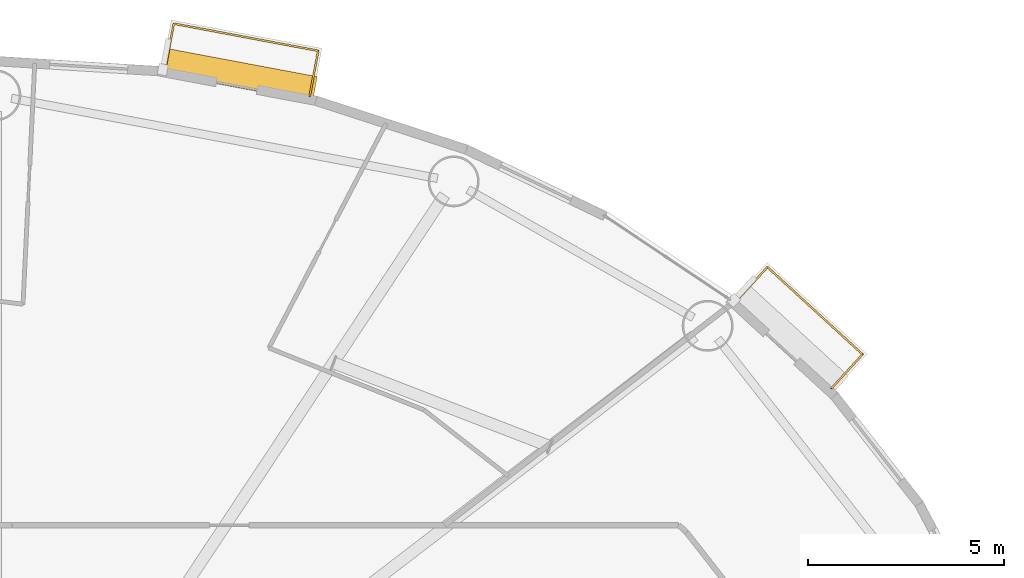
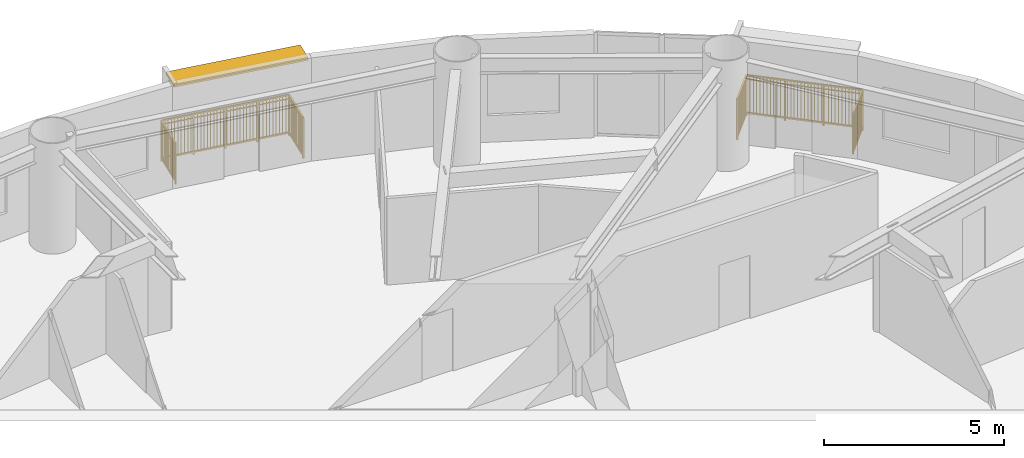
# One storey, part 21 of 21: 2 railings, 1 shading device.
"""IFC4 building model written with IfcOpenShell, lengths in metres."""

from ifc_helpers import new_model, si_unit, direction, frame, origin, origin_2d, place, context, subcontext, project, spatial, rectangle, extrude, source, transform, mapped, material, layer, layer_set, type_object, element, save


model = new_model("IFC4")

# Units and contexts
model_context = context("Model", 3, precision=1e-05, world=origin(), true_north=direction((0.0, 1.0)))
body_context = subcontext(model_context, "Body", "Model", "MODEL_VIEW")
ifc_project = project(units=[si_unit("LENGTHUNIT", "METRE"), si_unit("AREAUNIT", "SQUARE_METRE"), si_unit("VOLUMEUNIT", "CUBIC_METRE"), si_unit("PLANEANGLEUNIT", "RADIAN"), si_unit("MASSUNIT", "GRAM", prefix="KILO")], contexts=[model_context])

# Site, building, storey
site_placement = place(None, origin())
site = spatial("IfcSite", under=ifc_project, at=site_placement, CompositionType="ELEMENT")
building_placement = place(site_placement, origin())
building = spatial("IfcBuilding", under=site, at=building_placement, Name="Linh Dai School and Residence Tower", CompositionType="ELEMENT")
storey_placement = place(building_placement, frame((0.0, 0.0, 189.89990234375)))
storey = spatial("IfcBuildingStorey", under=building, at=storey_placement, Name="L46", CompositionType="ELEMENT", Elevation=189.89990234375)

# Shading device
ifc_material_1 = material(Name="Terracotta Ceramic Sunshade", Category="masonry")
ifc_layer = layer(ifc_material_1, 0.10009765625)
ifc_layer_set = layer_set([ifc_layer], Name="Terracotta Ceramic Sunshade")
shading_device_type = type_object("IfcShadingDeviceType", Name="SHD-TC-650", PredefinedType="USERDEFINED", material=ifc_layer_set)
shared_shape_1 = source(origin(), body_context, "Body", "SweptSolid", [
    extrude(rectangle(XDim=3.949462890625, YDim=0.64990234375, at=origin_2d()), origin(), (0.0, 0.0, 1.0), 0.10009765625),
])
shading_device_placement = place(storey_placement, frame((42.219970703125, 47.349609375, 3.380126953125), z_axis=(0.0, 0.0, 1.0), x_axis=(0.982783192645, -0.184762540184, 0.0)))
element("IfcShadingDevice", 1, at=shading_device_placement, inside=storey, type_object=shading_device_type, Name="L46 Terracotta Horizontal Sunshade Band 09", ObjectType="SUNSHADE", PredefinedType="USERDEFINED", context=body_context, shape_type="MappedRepresentation", body=[
    mapped(shared_shape_1, transform((0.0, 0.0, 0.0), x_axis=(1.0, 0.0, 0.0), y_axis=(0.0, 1.0, 0.0), z_axis=(0.0, 0.0, 1.0), scale=1.0)),
])

# Railings
ifc_material_2 = material(Name="Structural Steel S355JR", Category="steel")
railing_type = type_object("IfcRailingType", Name="RL-BAL-1400", PredefinedType="BALUSTRADE", material=ifc_material_2)
shared_shape_2 = source(origin(), body_context, "Body", "SweptSolid", [
    extrude(rectangle(XDim=0.048095703125, YDim=0.048095703125, at=origin_2d()), frame((0.0, 0.0, 1.3759765625), z_axis=(0.675715259685, 0.737162728187, 0.0), x_axis=(-0.737162728187, 0.675715259685, 0.0)), (0.0, 0.0, 1.0), 1.179931640625),
    extrude(rectangle(XDim=0.048095703125, YDim=0.048095703125, at=origin_2d()), frame((0.0, 0.0, 0.10009765625), z_axis=(0.675715259685, 0.737162728187, 0.0), x_axis=(-0.737162728187, 0.675715259685, 0.0)), (0.0, 0.0, 1.0), 1.179931640625),
    extrude(rectangle(XDim=0.030029296875, YDim=0.030029296875, at=origin_2d()), frame((0.0, 0.0, 1.239990234375), z_axis=(0.675715259685, 0.737162728187, 0.0), x_axis=(-0.737162728187, 0.675715259685, 0.0)), (0.0, 0.0, 1.0), 1.179931640625),
    extrude(rectangle(XDim=0.02001953125, YDim=0.02001953125, at=origin_2d()), frame((0.061279296875, 0.06689453125, 0.10009765625)), (0.0, 0.0, 1.0), 1.251708984375),
    extrude(rectangle(XDim=0.02001953125, YDim=0.02001953125, at=origin_2d()), frame((0.12255859375, 0.1337890625, 0.10009765625)), (0.0, 0.0, 1.0), 1.251708984375),
    extrude(rectangle(XDim=0.02001953125, YDim=0.02001953125, at=origin_2d()), frame((0.18408203125, 0.20068359375, 0.10009765625)), (0.0, 0.0, 1.0), 1.251708984375),
    extrude(rectangle(XDim=0.02001953125, YDim=0.02001953125, at=origin_2d()), frame((0.245361328125, 0.267578125, 0.10009765625)), (0.0, 0.0, 1.0), 1.251708984375),
    extrude(rectangle(XDim=0.02001953125, YDim=0.02001953125, at=origin_2d()), frame((0.306640625, 0.33447265625, 0.10009765625)), (0.0, 0.0, 1.0), 1.251708984375),
    extrude(rectangle(XDim=0.02001953125, YDim=0.02001953125, at=origin_2d()), frame((0.367919921875, 0.4013671875, 0.10009765625)), (0.0, 0.0, 1.0), 1.251708984375),
    extrude(rectangle(XDim=0.02001953125, YDim=0.02001953125, at=origin_2d()), frame((0.429443359375, 0.468505859375, 0.10009765625)), (0.0, 0.0, 1.0), 1.251708984375),
    extrude(rectangle(XDim=0.02001953125, YDim=0.02001953125, at=origin_2d()), frame((0.49072265625, 0.535400390625, 0.10009765625)), (0.0, 0.0, 1.0), 1.251708984375),
    extrude(rectangle(XDim=0.02001953125, YDim=0.02001953125, at=origin_2d()), frame((0.552001953125, 0.602294921875, 0.10009765625)), (0.0, 0.0, 1.0), 1.251708984375),
    extrude(rectangle(XDim=0.02001953125, YDim=0.02001953125, at=origin_2d()), frame((0.61328125, 0.669189453125, 0.10009765625)), (0.0, 0.0, 1.0), 1.251708984375),
    extrude(rectangle(XDim=0.02001953125, YDim=0.02001953125, at=origin_2d()), frame((0.6748046875, 0.736083984375, 0.10009765625)), (0.0, 0.0, 1.0), 1.251708984375),
    extrude(rectangle(XDim=0.02001953125, YDim=0.02001953125, at=origin_2d()), frame((0.736083984375, 0.802978515625, 0.10009765625)), (0.0, 0.0, 1.0), 1.251708984375),
    extrude(rectangle(XDim=0.048095703125, YDim=0.048095703125, at=origin_2d()), frame((0.79736328125, 0.869873046875, 1.3759765625), z_axis=(0.737089607401, -0.675795021187, 0.0), x_axis=(0.675795021187, 0.737089607401, 0.0)), (0.0, 0.0, 1.0), 3.298095703125),
    extrude(rectangle(XDim=0.048095703125, YDim=0.048095703125, at=origin_2d()), frame((0.79736328125, 0.869873046875, 0.10009765625), z_axis=(0.737089607401, -0.675795021187, 0.0), x_axis=(0.675795021187, 0.737089607401, 0.0)), (0.0, 0.0, 1.0), 3.298095703125),
    extrude(rectangle(XDim=0.030029296875, YDim=0.030029296875, at=origin_2d()), frame((0.79736328125, 0.869873046875, 1.239990234375), z_axis=(0.737089607401, -0.675795021187, 0.0), x_axis=(0.675795021187, 0.737089607401, 0.0)), (0.0, 0.0, 1.0), 3.298095703125),
    extrude(rectangle(XDim=0.02001953125, YDim=0.02001953125, at=origin_2d()), frame((0.868896484375, 0.80419921875, 0.10009765625)), (0.0, 0.0, 1.0), 1.251708984375),
    extrude(rectangle(XDim=0.02001953125, YDim=0.02001953125, at=origin_2d()), frame((0.9404296875, 0.73876953125, 0.10009765625)), (0.0, 0.0, 1.0), 1.251708984375),
    extrude(rectangle(XDim=0.02001953125, YDim=0.02001953125, at=origin_2d()), frame((1.011962890625, 0.67333984375, 0.10009765625)), (0.0, 0.0, 1.0), 1.251708984375),
    extrude(rectangle(XDim=0.02001953125, YDim=0.02001953125, at=origin_2d()), frame((1.083251953125, 0.607666015625, 0.10009765625)), (0.0, 0.0, 1.0), 1.251708984375),
    extrude(rectangle(XDim=0.02001953125, YDim=0.02001953125, at=origin_2d()), frame((1.15478515625, 0.5419921875, 0.10009765625)), (0.0, 0.0, 1.0), 1.251708984375),
    extrude(rectangle(XDim=0.02001953125, YDim=0.02001953125, at=origin_2d()), frame((1.226318359375, 0.4765625, 0.10009765625)), (0.0, 0.0, 1.0), 1.251708984375),
    extrude(rectangle(XDim=0.02001953125, YDim=0.02001953125, at=origin_2d()), frame((1.2978515625, 0.4111328125, 0.10009765625)), (0.0, 0.0, 1.0), 1.251708984375),
    extrude(rectangle(XDim=0.02001953125, YDim=0.02001953125, at=origin_2d()), frame((1.369384765625, 0.345458984375, 0.10009765625)), (0.0, 0.0, 1.0), 1.251708984375),
    extrude(rectangle(XDim=0.02001953125, YDim=0.02001953125, at=origin_2d()), frame((1.44091796875, 0.27978515625, 0.10009765625)), (0.0, 0.0, 1.0), 1.251708984375),
    extrude(rectangle(XDim=0.02001953125, YDim=0.02001953125, at=origin_2d()), frame((1.512451171875, 0.21435546875, 0.10009765625)), (0.0, 0.0, 1.0), 1.251708984375),
    extrude(rectangle(XDim=0.02001953125, YDim=0.02001953125, at=origin_2d()), frame((1.6552734375, 0.083251953125, 0.10009765625)), (0.0, 0.0, 1.0), 1.251708984375),
    extrude(rectangle(XDim=0.02001953125, YDim=0.02001953125, at=origin_2d()), frame((1.726806640625, 0.017822265625, 0.10009765625)), (0.0, 0.0, 1.0), 1.251708984375),
    extrude(rectangle(XDim=0.02001953125, YDim=0.02001953125, at=origin_2d()), frame((1.79833984375, -0.0478515625, 0.10009765625)), (0.0, 0.0, 1.0), 1.251708984375),
    extrude(rectangle(XDim=0.02001953125, YDim=0.02001953125, at=origin_2d()), frame((1.869873046875, -0.11328125, 0.10009765625)), (0.0, 0.0, 1.0), 1.251708984375),
    extrude(rectangle(XDim=0.02001953125, YDim=0.02001953125, at=origin_2d()), frame((1.94140625, -0.178955078125, 0.10009765625)), (0.0, 0.0, 1.0), 1.251708984375),
    extrude(rectangle(XDim=0.02001953125, YDim=0.02001953125, at=origin_2d()), frame((2.0126953125, -0.24462890625, 0.10009765625)), (0.0, 0.0, 1.0), 1.251708984375),
    extrude(rectangle(XDim=0.02001953125, YDim=0.02001953125, at=origin_2d()), frame((2.084228515625, -0.31005859375, 0.10009765625)), (0.0, 0.0, 1.0), 1.251708984375),
    extrude(rectangle(XDim=0.02001953125, YDim=0.02001953125, at=origin_2d()), frame((2.15576171875, -0.37548828125, 0.10009765625)), (0.0, 0.0, 1.0), 1.251708984375),
    extrude(rectangle(XDim=0.02001953125, YDim=0.02001953125, at=origin_2d()), frame((2.227294921875, -0.441162109375, 0.10009765625)), (0.0, 0.0, 1.0), 1.251708984375),
    extrude(rectangle(XDim=0.02001953125, YDim=0.02001953125, at=origin_2d()), frame((2.298828125, -0.5068359375, 0.10009765625)), (0.0, 0.0, 1.0), 1.251708984375),
    extrude(rectangle(XDim=0.02001953125, YDim=0.02001953125, at=origin_2d()), frame((2.370361328125, -0.572265625, 0.10009765625)), (0.0, 0.0, 1.0), 1.251708984375),
    extrude(rectangle(XDim=0.02001953125, YDim=0.02001953125, at=origin_2d()), frame((2.51318359375, -0.703369140625, 0.10009765625)), (0.0, 0.0, 1.0), 1.251708984375),
    extrude(rectangle(XDim=0.02001953125, YDim=0.02001953125, at=origin_2d()), frame((2.584716796875, -0.76904296875, 0.10009765625)), (0.0, 0.0, 1.0), 1.251708984375),
    extrude(rectangle(XDim=0.02001953125, YDim=0.02001953125, at=origin_2d()), frame((2.65625, -0.83447265625, 0.10009765625)), (0.0, 0.0, 1.0), 1.251708984375),
    extrude(rectangle(XDim=0.02001953125, YDim=0.02001953125, at=origin_2d()), frame((2.727783203125, -0.89990234375, 0.10009765625)), (0.0, 0.0, 1.0), 1.251708984375),
    extrude(rectangle(XDim=0.02001953125, YDim=0.02001953125, at=origin_2d()), frame((2.79931640625, -0.965576171875, 0.10009765625)), (0.0, 0.0, 1.0), 1.251708984375),
    extrude(rectangle(XDim=0.02001953125, YDim=0.02001953125, at=origin_2d()), frame((2.870849609375, -1.03125, 0.10009765625)), (0.0, 0.0, 1.0), 1.251708984375),
    extrude(rectangle(XDim=0.02001953125, YDim=0.02001953125, at=origin_2d()), frame((2.9423828125, -1.0966796875, 0.10009765625)), (0.0, 0.0, 1.0), 1.251708984375),
    extrude(rectangle(XDim=0.02001953125, YDim=0.02001953125, at=origin_2d()), frame((3.013671875, -1.162109375, 0.10009765625)), (0.0, 0.0, 1.0), 1.251708984375),
    extrude(rectangle(XDim=0.02001953125, YDim=0.02001953125, at=origin_2d()), frame((3.085205078125, -1.227783203125, 0.10009765625)), (0.0, 0.0, 1.0), 1.251708984375),
    extrude(rectangle(XDim=0.02001953125, YDim=0.02001953125, at=origin_2d()), frame((3.15673828125, -1.29345703125, 0.10009765625)), (0.0, 0.0, 1.0), 1.251708984375),
    extrude(rectangle(XDim=0.048095703125, YDim=0.048095703125, at=origin_2d()), frame((3.228271484375, -1.35888671875, 1.3759765625), z_axis=(-0.675715259685, -0.737162728187, 0.0), x_axis=(0.737162728187, -0.675715259685, 0.0)), (0.0, 0.0, 1.0), 1.179931640625),
    extrude(rectangle(XDim=0.048095703125, YDim=0.048095703125, at=origin_2d()), frame((3.228271484375, -1.35888671875, 0.10009765625), z_axis=(-0.675715259685, -0.737162728187, 0.0), x_axis=(0.737162728187, -0.675715259685, 0.0)), (0.0, 0.0, 1.0), 1.179931640625),
    extrude(rectangle(XDim=0.030029296875, YDim=0.030029296875, at=origin_2d()), frame((3.228271484375, -1.35888671875, 1.239990234375), z_axis=(-0.675715259685, -0.737162728187, 0.0), x_axis=(0.737162728187, -0.675715259685, 0.0)), (0.0, 0.0, 1.0), 1.179931640625),
    extrude(rectangle(XDim=0.02001953125, YDim=0.02001953125, at=origin_2d()), frame((3.1669921875, -1.42578125, 0.10009765625)), (0.0, 0.0, 1.0), 1.251708984375),
    extrude(rectangle(XDim=0.02001953125, YDim=0.02001953125, at=origin_2d()), frame((3.105712890625, -1.49267578125, 0.10009765625)), (0.0, 0.0, 1.0), 1.251708984375),
    extrude(rectangle(XDim=0.02001953125, YDim=0.02001953125, at=origin_2d()), frame((3.044189453125, -1.5595703125, 0.10009765625)), (0.0, 0.0, 1.0), 1.251708984375),
    extrude(rectangle(XDim=0.02001953125, YDim=0.02001953125, at=origin_2d()), frame((2.98291015625, -1.62646484375, 0.10009765625)), (0.0, 0.0, 1.0), 1.251708984375),
    extrude(rectangle(XDim=0.02001953125, YDim=0.02001953125, at=origin_2d()), frame((2.921630859375, -1.693359375, 0.10009765625)), (0.0, 0.0, 1.0), 1.251708984375),
    extrude(rectangle(XDim=0.02001953125, YDim=0.02001953125, at=origin_2d()), frame((2.8603515625, -1.76025390625, 0.10009765625)), (0.0, 0.0, 1.0), 1.251708984375),
    extrude(rectangle(XDim=0.02001953125, YDim=0.02001953125, at=origin_2d()), frame((2.798828125, -1.827392578125, 0.10009765625)), (0.0, 0.0, 1.0), 1.251708984375),
    extrude(rectangle(XDim=0.02001953125, YDim=0.02001953125, at=origin_2d()), frame((2.737548828125, -1.894287109375, 0.10009765625)), (0.0, 0.0, 1.0), 1.251708984375),
    extrude(rectangle(XDim=0.02001953125, YDim=0.02001953125, at=origin_2d()), frame((2.67626953125, -1.961181640625, 0.10009765625)), (0.0, 0.0, 1.0), 1.251708984375),
    extrude(rectangle(XDim=0.02001953125, YDim=0.02001953125, at=origin_2d()), frame((2.614990234375, -2.028076171875, 0.10009765625)), (0.0, 0.0, 1.0), 1.251708984375),
    extrude(rectangle(XDim=0.02001953125, YDim=0.02001953125, at=origin_2d()), frame((2.553466796875, -2.094970703125, 0.10009765625)), (0.0, 0.0, 1.0), 1.251708984375),
    extrude(rectangle(XDim=0.02001953125, YDim=0.02001953125, at=origin_2d()), frame((2.4921875, -2.161865234375, 0.10009765625)), (0.0, 0.0, 1.0), 1.251708984375),
    extrude(rectangle(XDim=0.0419921875, YDim=0.0419921875, at=origin_2d()), origin(), (0.0, 0.0, 1.0), 1.3759765625),
    extrude(rectangle(XDim=0.0419921875, YDim=0.0419921875, at=origin_2d()), frame((0.79736328125, 0.869873046875, 0.0)), (0.0, 0.0, 1.0), 1.3759765625),
    extrude(rectangle(XDim=0.0419921875, YDim=0.0419921875, at=origin_2d()), frame((1.607666015625, 0.126953125, 0.0)), (0.0, 0.0, 1.0), 1.3759765625),
    extrude(rectangle(XDim=0.0419921875, YDim=0.0419921875, at=origin_2d()), frame((2.41796875, -0.615966796875, 0.0)), (0.0, 0.0, 1.0), 1.3759765625),
    extrude(rectangle(XDim=0.0419921875, YDim=0.0419921875, at=origin_2d()), frame((3.228271484375, -1.35888671875, 0.0)), (0.0, 0.0, 1.0), 1.3759765625),
    extrude(rectangle(XDim=0.0419921875, YDim=0.0419921875, at=origin_2d()), frame((2.430908203125, -2.228759765625, 0.0)), (0.0, 0.0, 1.0), 1.3759765625),
])
railing_1_placement = place(storey_placement, frame((54.922119140625, 41.571533203125, 0.0)))
element("IfcRailing", 2, at=railing_1_placement, inside=storey, type_object=railing_type, Name="L46 Balcony Safety Balustrade 05", PredefinedType="BALUSTRADE", context=body_context, shape_type="MappedRepresentation", body=[
    mapped(shared_shape_2, transform((0.0, 0.0, 0.0), x_axis=(1.0, 0.0, 0.0), y_axis=(0.0, 1.0, 0.0), z_axis=(0.0, 0.0, 1.0), scale=1.0)),
])
shared_shape_3 = source(origin(), body_context, "Body", "SweptSolid", [
    extrude(rectangle(XDim=0.048095703125, YDim=0.048095703125, at=origin_2d()), frame((0.0, 0.0, 1.3759765625), z_axis=(0.18476321632, 0.982783065531, 0.0), x_axis=(-0.982783065531, 0.18476321632, 0.0)), (0.0, 0.0, 1.0), 1.179931640625),
    extrude(rectangle(XDim=0.048095703125, YDim=0.048095703125, at=origin_2d()), frame((0.0, 0.0, 0.10009765625), z_axis=(0.18476321632, 0.982783065531, 0.0), x_axis=(-0.982783065531, 0.18476321632, 0.0)), (0.0, 0.0, 1.0), 1.179931640625),
    extrude(rectangle(XDim=0.030029296875, YDim=0.030029296875, at=origin_2d()), frame((0.0, 0.0, 1.239990234375), z_axis=(0.18476321632, 0.982783065531, 0.0), x_axis=(-0.982783065531, 0.18476321632, 0.0)), (0.0, 0.0, 1.0), 1.179931640625),
    extrude(rectangle(XDim=0.02001953125, YDim=0.02001953125, at=origin_2d()), frame((0.016845703125, 0.089111328125, 0.10009765625)), (0.0, 0.0, 1.0), 1.251708984375),
    extrude(rectangle(XDim=0.02001953125, YDim=0.02001953125, at=origin_2d()), frame((0.033447265625, 0.178466796875, 0.10009765625)), (0.0, 0.0, 1.0), 1.251708984375),
    extrude(rectangle(XDim=0.02001953125, YDim=0.02001953125, at=origin_2d()), frame((0.05029296875, 0.267578125, 0.10009765625)), (0.0, 0.0, 1.0), 1.251708984375),
    extrude(rectangle(XDim=0.02001953125, YDim=0.02001953125, at=origin_2d()), frame((0.067138671875, 0.35693359375, 0.10009765625)), (0.0, 0.0, 1.0), 1.251708984375),
    extrude(rectangle(XDim=0.02001953125, YDim=0.02001953125, at=origin_2d()), frame((0.083740234375, 0.446044921875, 0.10009765625)), (0.0, 0.0, 1.0), 1.251708984375),
    extrude(rectangle(XDim=0.02001953125, YDim=0.02001953125, at=origin_2d()), frame((0.1005859375, 0.53515625, 0.10009765625)), (0.0, 0.0, 1.0), 1.251708984375),
    extrude(rectangle(XDim=0.02001953125, YDim=0.02001953125, at=origin_2d()), frame((0.117431640625, 0.62451171875, 0.10009765625)), (0.0, 0.0, 1.0), 1.251708984375),
    extrude(rectangle(XDim=0.02001953125, YDim=0.02001953125, at=origin_2d()), frame((0.13427734375, 0.713623046875, 0.10009765625)), (0.0, 0.0, 1.0), 1.251708984375),
    extrude(rectangle(XDim=0.02001953125, YDim=0.02001953125, at=origin_2d()), frame((0.15087890625, 0.802734375, 0.10009765625)), (0.0, 0.0, 1.0), 1.251708984375),
    extrude(rectangle(XDim=0.02001953125, YDim=0.02001953125, at=origin_2d()), frame((0.167724609375, 0.89208984375, 0.10009765625)), (0.0, 0.0, 1.0), 1.251708984375),
    extrude(rectangle(XDim=0.02001953125, YDim=0.02001953125, at=origin_2d()), frame((0.1845703125, 0.981201171875, 0.10009765625)), (0.0, 0.0, 1.0), 1.251708984375),
    extrude(rectangle(XDim=0.02001953125, YDim=0.02001953125, at=origin_2d()), frame((0.201171875, 1.070556640625, 0.10009765625)), (0.0, 0.0, 1.0), 1.251708984375),
    extrude(rectangle(XDim=0.048095703125, YDim=0.048095703125, at=origin_2d()), frame((0.218017578125, 1.15966796875, 1.3759765625), z_axis=(0.982783726823, -0.184759698776, 0.0), x_axis=(0.184759698776, 0.982783726823, 0.0)), (0.0, 0.0, 1.0), 3.754150390625),
    extrude(rectangle(XDim=0.048095703125, YDim=0.048095703125, at=origin_2d()), frame((0.218017578125, 1.15966796875, 0.10009765625), z_axis=(0.982783726823, -0.184759698776, 0.0), x_axis=(0.184759698776, 0.982783726823, 0.0)), (0.0, 0.0, 1.0), 3.754150390625),
    extrude(rectangle(XDim=0.030029296875, YDim=0.030029296875, at=origin_2d()), frame((0.218017578125, 1.15966796875, 1.239990234375), z_axis=(0.982783726823, -0.184759698776, 0.0), x_axis=(0.184759698776, 0.982783726823, 0.0)), (0.0, 0.0, 1.0), 3.754150390625),
    extrude(rectangle(XDim=0.02001953125, YDim=0.02001953125, at=origin_2d()), frame((0.3125, 1.141845703125, 0.10009765625)), (0.0, 0.0, 1.0), 1.251708984375),
    extrude(rectangle(XDim=0.02001953125, YDim=0.02001953125, at=origin_2d()), frame((0.4072265625, 1.1240234375, 0.10009765625)), (0.0, 0.0, 1.0), 1.251708984375),
    extrude(rectangle(XDim=0.02001953125, YDim=0.02001953125, at=origin_2d()), frame((0.501708984375, 1.106201171875, 0.10009765625)), (0.0, 0.0, 1.0), 1.251708984375),
    extrude(rectangle(XDim=0.02001953125, YDim=0.02001953125, at=origin_2d()), frame((0.596435546875, 1.088623046875, 0.10009765625)), (0.0, 0.0, 1.0), 1.251708984375),
    extrude(rectangle(XDim=0.02001953125, YDim=0.02001953125, at=origin_2d()), frame((0.69091796875, 1.07080078125, 0.10009765625)), (0.0, 0.0, 1.0), 1.251708984375),
    extrude(rectangle(XDim=0.02001953125, YDim=0.02001953125, at=origin_2d()), frame((0.78564453125, 1.052978515625, 0.10009765625)), (0.0, 0.0, 1.0), 1.251708984375),
    extrude(rectangle(XDim=0.02001953125, YDim=0.02001953125, at=origin_2d()), frame((0.880126953125, 1.03515625, 0.10009765625)), (0.0, 0.0, 1.0), 1.251708984375),
    extrude(rectangle(XDim=0.02001953125, YDim=0.02001953125, at=origin_2d()), frame((0.974853515625, 1.017333984375, 0.10009765625)), (0.0, 0.0, 1.0), 1.251708984375),
    extrude(rectangle(XDim=0.02001953125, YDim=0.02001953125, at=origin_2d()), frame((1.0693359375, 0.99951171875, 0.10009765625)), (0.0, 0.0, 1.0), 1.251708984375),
    extrude(rectangle(XDim=0.02001953125, YDim=0.02001953125, at=origin_2d()), frame((1.258544921875, 0.964111328125, 0.10009765625)), (0.0, 0.0, 1.0), 1.251708984375),
    extrude(rectangle(XDim=0.02001953125, YDim=0.02001953125, at=origin_2d()), frame((1.353271484375, 0.9462890625, 0.10009765625)), (0.0, 0.0, 1.0), 1.251708984375),
    extrude(rectangle(XDim=0.02001953125, YDim=0.02001953125, at=origin_2d()), frame((1.44775390625, 0.928466796875, 0.10009765625)), (0.0, 0.0, 1.0), 1.251708984375),
    extrude(rectangle(XDim=0.02001953125, YDim=0.02001953125, at=origin_2d()), frame((1.54248046875, 0.91064453125, 0.10009765625)), (0.0, 0.0, 1.0), 1.251708984375),
    extrude(rectangle(XDim=0.02001953125, YDim=0.02001953125, at=origin_2d()), frame((1.636962890625, 0.892822265625, 0.10009765625)), (0.0, 0.0, 1.0), 1.251708984375),
    extrude(rectangle(XDim=0.02001953125, YDim=0.02001953125, at=origin_2d()), frame((1.731689453125, 0.875, 0.10009765625)), (0.0, 0.0, 1.0), 1.251708984375),
    extrude(rectangle(XDim=0.02001953125, YDim=0.02001953125, at=origin_2d()), frame((1.826171875, 0.857421875, 0.10009765625)), (0.0, 0.0, 1.0), 1.251708984375),
    extrude(rectangle(XDim=0.02001953125, YDim=0.02001953125, at=origin_2d()), frame((1.9208984375, 0.839599609375, 0.10009765625)), (0.0, 0.0, 1.0), 1.251708984375),
    extrude(rectangle(XDim=0.02001953125, YDim=0.02001953125, at=origin_2d()), frame((2.015380859375, 0.82177734375, 0.10009765625)), (0.0, 0.0, 1.0), 1.251708984375),
    extrude(rectangle(XDim=0.02001953125, YDim=0.02001953125, at=origin_2d()), frame((2.110107421875, 0.803955078125, 0.10009765625)), (0.0, 0.0, 1.0), 1.251708984375),
    extrude(rectangle(XDim=0.02001953125, YDim=0.02001953125, at=origin_2d()), frame((2.20458984375, 0.7861328125, 0.10009765625)), (0.0, 0.0, 1.0), 1.251708984375),
    extrude(rectangle(XDim=0.02001953125, YDim=0.02001953125, at=origin_2d()), frame((2.29931640625, 0.768310546875, 0.10009765625)), (0.0, 0.0, 1.0), 1.251708984375),
    extrude(rectangle(XDim=0.02001953125, YDim=0.02001953125, at=origin_2d()), frame((2.393798828125, 0.750732421875, 0.10009765625)), (0.0, 0.0, 1.0), 1.251708984375),
    extrude(rectangle(XDim=0.02001953125, YDim=0.02001953125, at=origin_2d()), frame((2.488525390625, 0.73291015625, 0.10009765625)), (0.0, 0.0, 1.0), 1.251708984375),
    extrude(rectangle(XDim=0.02001953125, YDim=0.02001953125, at=origin_2d()), frame((2.5830078125, 0.715087890625, 0.10009765625)), (0.0, 0.0, 1.0), 1.251708984375),
    extrude(rectangle(XDim=0.02001953125, YDim=0.02001953125, at=origin_2d()), frame((2.677734375, 0.697265625, 0.10009765625)), (0.0, 0.0, 1.0), 1.251708984375),
    extrude(rectangle(XDim=0.02001953125, YDim=0.02001953125, at=origin_2d()), frame((2.772216796875, 0.679443359375, 0.10009765625)), (0.0, 0.0, 1.0), 1.251708984375),
    extrude(rectangle(XDim=0.02001953125, YDim=0.02001953125, at=origin_2d()), frame((2.866943359375, 0.66162109375, 0.10009765625)), (0.0, 0.0, 1.0), 1.251708984375),
    extrude(rectangle(XDim=0.02001953125, YDim=0.02001953125, at=origin_2d()), frame((3.05615234375, 0.626220703125, 0.10009765625)), (0.0, 0.0, 1.0), 1.251708984375),
    extrude(rectangle(XDim=0.02001953125, YDim=0.02001953125, at=origin_2d()), frame((3.150634765625, 0.6083984375, 0.10009765625)), (0.0, 0.0, 1.0), 1.251708984375),
    extrude(rectangle(XDim=0.02001953125, YDim=0.02001953125, at=origin_2d()), frame((3.245361328125, 0.590576171875, 0.10009765625)), (0.0, 0.0, 1.0), 1.251708984375),
    extrude(rectangle(XDim=0.02001953125, YDim=0.02001953125, at=origin_2d()), frame((3.33984375, 0.57275390625, 0.10009765625)), (0.0, 0.0, 1.0), 1.251708984375),
    extrude(rectangle(XDim=0.02001953125, YDim=0.02001953125, at=origin_2d()), frame((3.4345703125, 0.554931640625, 0.10009765625)), (0.0, 0.0, 1.0), 1.251708984375),
    extrude(rectangle(XDim=0.02001953125, YDim=0.02001953125, at=origin_2d()), frame((3.529052734375, 0.537109375, 0.10009765625)), (0.0, 0.0, 1.0), 1.251708984375),
    extrude(rectangle(XDim=0.02001953125, YDim=0.02001953125, at=origin_2d()), frame((3.623779296875, 0.51953125, 0.10009765625)), (0.0, 0.0, 1.0), 1.251708984375),
    extrude(rectangle(XDim=0.02001953125, YDim=0.02001953125, at=origin_2d()), frame((3.71826171875, 0.501708984375, 0.10009765625)), (0.0, 0.0, 1.0), 1.251708984375),
    extrude(rectangle(XDim=0.02001953125, YDim=0.02001953125, at=origin_2d()), frame((3.81298828125, 0.48388671875, 0.10009765625)), (0.0, 0.0, 1.0), 1.251708984375),
    extrude(rectangle(XDim=0.048095703125, YDim=0.048095703125, at=origin_2d()), frame((3.907470703125, 0.466064453125, 1.3759765625), z_axis=(-0.18476321632, -0.982783065531, 0.0), x_axis=(0.982783065531, -0.18476321632, 0.0)), (0.0, 0.0, 1.0), 1.179931640625),
    extrude(rectangle(XDim=0.048095703125, YDim=0.048095703125, at=origin_2d()), frame((3.907470703125, 0.466064453125, 0.10009765625), z_axis=(-0.18476321632, -0.982783065531, 0.0), x_axis=(0.982783065531, -0.18476321632, 0.0)), (0.0, 0.0, 1.0), 1.179931640625),
    extrude(rectangle(XDim=0.030029296875, YDim=0.030029296875, at=origin_2d()), frame((3.907470703125, 0.466064453125, 1.239990234375), z_axis=(-0.18476321632, -0.982783065531, 0.0), x_axis=(0.982783065531, -0.18476321632, 0.0)), (0.0, 0.0, 1.0), 1.179931640625),
    extrude(rectangle(XDim=0.02001953125, YDim=0.02001953125, at=origin_2d()), frame((3.890625, 0.376953125, 0.10009765625)), (0.0, 0.0, 1.0), 1.251708984375),
    extrude(rectangle(XDim=0.02001953125, YDim=0.02001953125, at=origin_2d()), frame((3.8740234375, 0.28759765625, 0.10009765625)), (0.0, 0.0, 1.0), 1.251708984375),
    extrude(rectangle(XDim=0.02001953125, YDim=0.02001953125, at=origin_2d()), frame((3.857177734375, 0.198486328125, 0.10009765625)), (0.0, 0.0, 1.0), 1.251708984375),
    extrude(rectangle(XDim=0.02001953125, YDim=0.02001953125, at=origin_2d()), frame((3.84033203125, 0.109130859375, 0.10009765625)), (0.0, 0.0, 1.0), 1.251708984375),
    extrude(rectangle(XDim=0.02001953125, YDim=0.02001953125, at=origin_2d()), frame((3.82373046875, 0.02001953125, 0.10009765625)), (0.0, 0.0, 1.0), 1.251708984375),
    extrude(rectangle(XDim=0.02001953125, YDim=0.02001953125, at=origin_2d()), frame((3.806884765625, -0.069091796875, 0.10009765625)), (0.0, 0.0, 1.0), 1.251708984375),
    extrude(rectangle(XDim=0.02001953125, YDim=0.02001953125, at=origin_2d()), frame((3.7900390625, -0.158447265625, 0.10009765625)), (0.0, 0.0, 1.0), 1.251708984375),
    extrude(rectangle(XDim=0.02001953125, YDim=0.02001953125, at=origin_2d()), frame((3.773193359375, -0.24755859375, 0.10009765625)), (0.0, 0.0, 1.0), 1.251708984375),
    extrude(rectangle(XDim=0.02001953125, YDim=0.02001953125, at=origin_2d()), frame((3.756591796875, -0.336669921875, 0.10009765625)), (0.0, 0.0, 1.0), 1.251708984375),
    extrude(rectangle(XDim=0.02001953125, YDim=0.02001953125, at=origin_2d()), frame((3.73974609375, -0.426025390625, 0.10009765625)), (0.0, 0.0, 1.0), 1.251708984375),
    extrude(rectangle(XDim=0.02001953125, YDim=0.02001953125, at=origin_2d()), frame((3.722900390625, -0.51513671875, 0.10009765625)), (0.0, 0.0, 1.0), 1.251708984375),
    extrude(rectangle(XDim=0.02001953125, YDim=0.02001953125, at=origin_2d()), frame((3.706298828125, -0.6044921875, 0.10009765625)), (0.0, 0.0, 1.0), 1.251708984375),
    extrude(rectangle(XDim=0.0419921875, YDim=0.0419921875, at=origin_2d()), origin(), (0.0, 0.0, 1.0), 1.3759765625),
    extrude(rectangle(XDim=0.0419921875, YDim=0.0419921875, at=origin_2d()), frame((0.218017578125, 1.15966796875, 0.0)), (0.0, 0.0, 1.0), 1.3759765625),
    extrude(rectangle(XDim=0.0419921875, YDim=0.0419921875, at=origin_2d()), frame((1.140380859375, 0.986328125, 0.0)), (0.0, 0.0, 1.0), 1.3759765625),
    extrude(rectangle(XDim=0.0419921875, YDim=0.0419921875, at=origin_2d()), frame((2.062744140625, 0.81298828125, 0.0)), (0.0, 0.0, 1.0), 1.3759765625),
    extrude(rectangle(XDim=0.0419921875, YDim=0.0419921875, at=origin_2d()), frame((2.985107421875, 0.639404296875, 0.0)), (0.0, 0.0, 1.0), 1.3759765625),
    extrude(rectangle(XDim=0.0419921875, YDim=0.0419921875, at=origin_2d()), frame((3.907470703125, 0.466064453125, 0.0)), (0.0, 0.0, 1.0), 1.3759765625),
    extrude(rectangle(XDim=0.0419921875, YDim=0.0419921875, at=origin_2d()), frame((3.689453125, -0.693603515625, 0.0)), (0.0, 0.0, 1.0), 1.3759765625),
])
railing_2_placement = place(storey_placement, frame((40.33837890625, 47.499755859375, 0.0)))
element("IfcRailing", 3, at=railing_2_placement, inside=storey, type_object=railing_type, Name="L46 Balcony Safety Balustrade 09", PredefinedType="BALUSTRADE", context=body_context, shape_type="MappedRepresentation", body=[
    mapped(shared_shape_3, transform((0.0, 0.0, 0.0), x_axis=(1.0, 0.0, 0.0), y_axis=(0.0, 1.0, 0.0), z_axis=(0.0, 0.0, 1.0), scale=1.0)),
])

save(model, "model.ifc")
